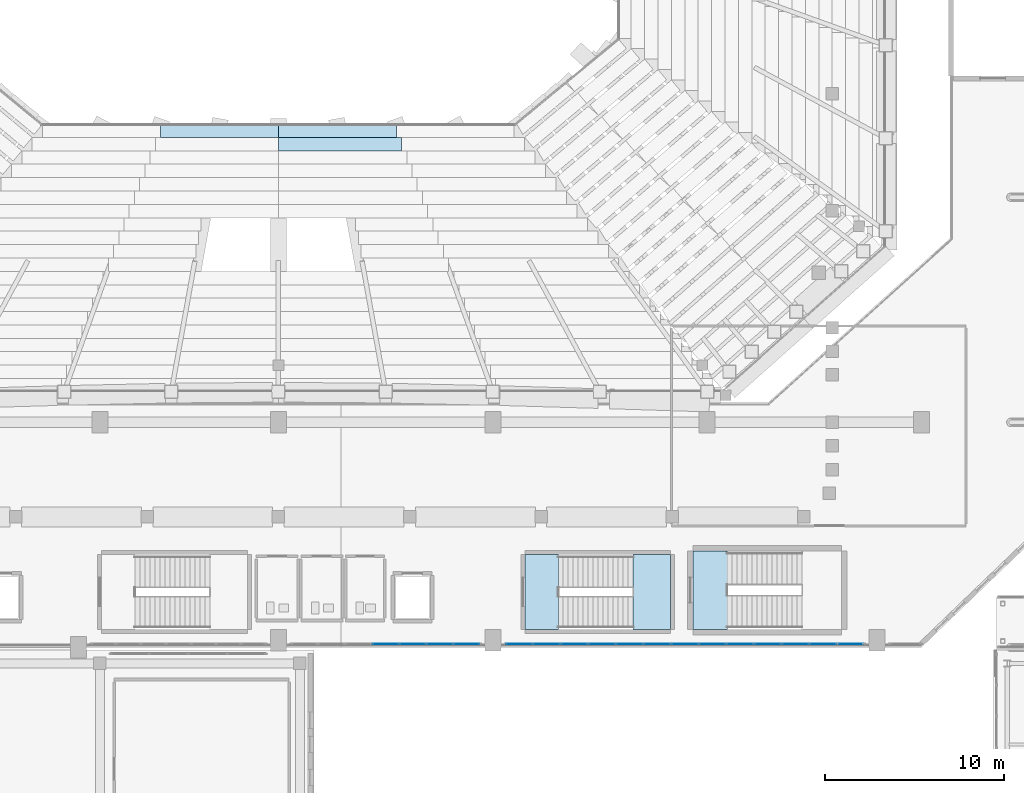
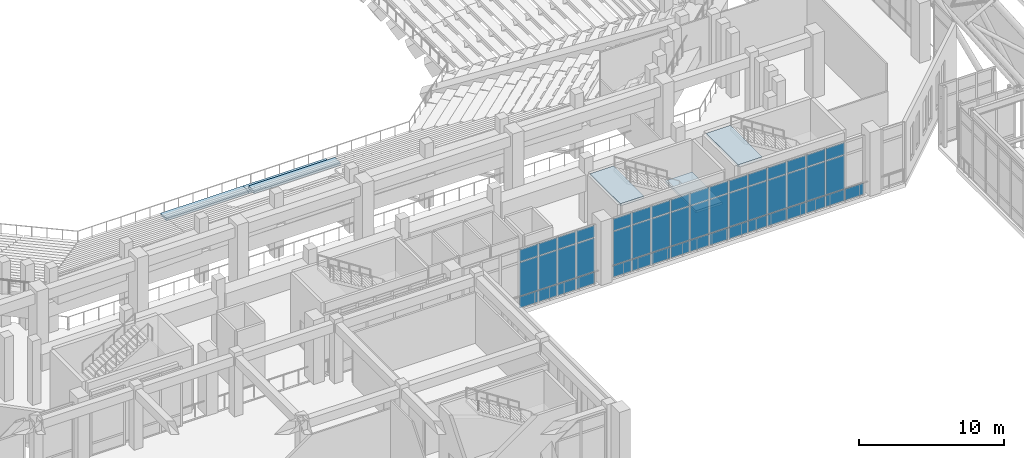
# One storey, part 91 of 159: 49 plates, 6 slabs, 4 elements without a shape of their own.
"""IFC4 building model written with IfcOpenShell, lengths in metres."""

from ifc_helpers import new_model, si_unit, derived_unit, direction, frame, origin, origin_2d, place, context, subcontext, project, spatial, polyline, rectangle, outline, extrude, material, layer, layer_set, type_object, element, aggregate, save


model = new_model("IFC4")

# Units and contexts
model_context = context("Model", 3, precision=1e-05, world=origin(), true_north=direction((0.0, 1.0)))
body_context = subcontext(model_context, "Body", "Model", "MODEL_VIEW")
ifc_project = project(units=[si_unit("LENGTHUNIT", "METRE"), si_unit("AREAUNIT", "SQUARE_METRE"), si_unit("VOLUMEUNIT", "CUBIC_METRE"), si_unit("PLANEANGLEUNIT", "RADIAN"), si_unit("MASSUNIT", "GRAM", prefix="KILO"), derived_unit("THERMALTRANSMITTANCEUNIT", [(si_unit("MASSUNIT", "GRAM", prefix="KILO"), 1), (si_unit("TIMEUNIT", "SECOND"), -3), (si_unit("THERMODYNAMICTEMPERATUREUNIT", "KELVIN"), -1)])], contexts=[model_context])

# Site, building, storey
site_placement = place(None, origin())
site = spatial("IfcSite", under=ifc_project, at=site_placement, CompositionType="ELEMENT")
building_placement = place(site_placement, origin())
building = spatial("IfcBuilding", under=site, at=building_placement, Name="Valcora Ridge Arena", CompositionType="ELEMENT")
storey_placement = place(building_placement, frame((0.0, 0.0, 6.0)))
storey = spatial("IfcBuildingStorey", under=building, at=storey_placement, Name="L01", CompositionType="ELEMENT", Elevation=6.0)

# Stair, slabs
ifc_material_1 = material(Name="Concrete C40/50", Category="concrete")
stair_type_1 = type_object("IfcStairType", Name="TY-STAIR-ES02-54", PredefinedType="HALF_TURN_STAIR", material=ifc_material_1)
stair_1_placement = place(storey_placement, origin())
stair_1 = element("IfcStair", 1, at=stair_1_placement, inside=storey, type_object=stair_type_1, Name="ES02-54 STR-ES-0006", PredefinedType="HALF_TURN_STAIR")
ifc_layer_1 = layer(ifc_material_1, 0.199951171875, Name="Concrete C40/50")
ifc_layer_set_1 = layer_set([ifc_layer_1], Name="Concrete C40/50")
slab_type_1 = type_object("IfcSlabType", Name="TY-LAND-ES02-54", PredefinedType="LANDING", material=ifc_layer_set_1)
slab_1_placement = place(storey_placement, frame((0.0, 0.0, 2.5)))
slab_1 = element("IfcSlab", 2, at=slab_1_placement, type_object=slab_type_1, Name="ES02-54 landing 1", PredefinedType="LANDING", context=body_context, shape_type="SweptSolid", body=[
    extrude(outline(polyline([(77.840087890625, 21.001953125), (79.9580078125, 21.001953125), (79.9580078125, 25.197998046875), (77.840087890625, 25.197998046875), (77.840087890625, 21.001953125)])), origin(), (0.0, 0.0, 1.0), 0.199951171875),
])
slab_2_placement = place(storey_placement, frame((0.0, 0.0, 5.199951171875)))
slab_2 = element("IfcSlab", 3, at=slab_2_placement, type_object=slab_type_1, Name="ES02-54 landing 2", PredefinedType="LANDING", context=body_context, shape_type="SweptSolid", body=[
    extrude(outline(polyline([(71.802001953125, 21.001953125), (73.679931640625, 21.001953125), (73.679931640625, 25.197998046875), (71.802001953125, 25.197998046875), (71.802001953125, 21.001953125)])), origin(), (0.0, 0.0, 1.0), 0.199951171875),
])
aggregate(stair_1, [slab_1, slab_2])

# Stair, slab
stair_type_2 = type_object("IfcStairType", Name="TY-STAIR-ST02-54", PredefinedType="HALF_TURN_STAIR", material=ifc_material_1)
stair_2_placement = place(storey_placement, origin())
stair_2 = element("IfcStair", 4, at=stair_2_placement, inside=storey, type_object=stair_type_2, Name="ST02-54 STR-CR-0009", PredefinedType="HALF_TURN_STAIR")
ifc_layer_2 = layer(ifc_material_1, 0.199951171875, Name="Concrete C40/50")
ifc_layer_set_2 = layer_set([ifc_layer_2], Name="Concrete C40/50")
slab_type_2 = type_object("IfcSlabType", Name="TY-LAND-ST02-54", PredefinedType="LANDING", material=ifc_layer_set_2)
slab_3_placement = place(storey_placement, frame((0.0, 0.0, 5.199951171875)))
slab_3 = element("IfcSlab", 5, at=slab_3_placement, type_object=slab_type_2, Name="ST02-54 landing 2", PredefinedType="LANDING", context=body_context, shape_type="SweptSolid", body=[
    extrude(outline(polyline([(81.201904296875, 21.001953125), (83.1298828125, 21.001953125), (83.1298828125, 25.39794921875), (81.201904296875, 25.39794921875), (81.201904296875, 21.001953125)])), origin(), (0.0, 0.0, 1.0), 0.199951171875),
])
aggregate(stair_2, [slab_3])

# Curtain wall, plates
ifc_material_2 = material(Name="Anodised dark bronze architectural aluminium 6063-T6", Category="aluminium")
ifc_layer_3 = layer(ifc_material_2, 0.179931640625, Name="Anodised dark bronze architectural aluminium 6063-T6")
ifc_layer_set_3 = layer_set([ifc_layer_3], Name="Anodised dark bronze architectural aluminium 6063-T6")
curtain_wall_type_1 = type_object("IfcCurtainWallType", Name="TY-CURTAINWALL-CW-V1-GOTH-106X50", PredefinedType="NOTDEFINED", material=ifc_layer_set_3)
curtain_wall_1_placement = place(storey_placement, origin())
curtain_wall_1 = element("IfcCurtainWall", 6, at=curtain_wall_1_placement, inside=storey, type_object=curtain_wall_type_1, Name="CW-V1-GOTH-106X50 CW-0099", PredefinedType="NOTDEFINED")
ifc_material_3 = material(Name="Low-iron solar-control double glazing SHGC 0.28", Category="glass")
ifc_layer_4 = layer(ifc_material_3, 0.031982421875, Name="Low-iron solar-control double glazing SHGC 0.28")
ifc_layer_set_4 = layer_set([ifc_layer_4], Name="Low-iron solar-control double glazing SHGC 0.28")
plate_type_1 = type_object("IfcPlateType", Name="TY-PLT-CWP-1427X0960", PredefinedType="CURTAIN_PANEL", material=ifc_layer_set_4)
plate_1_placement = place(storey_placement, frame((68.53662109375, 20.199951171875, 0.06005859375), z_axis=(0.0, 0.0, 1.0), x_axis=(1.0, 0.0, 0.0)))
plate_1 = element("IfcPlate", 7, at=plate_1_placement, type_object=plate_type_1, Name="CW-0099/P06-00", PredefinedType="CURTAIN_PANEL", context=body_context, shape_type="SweptSolid", body=[
    extrude(rectangle(XDim=1.427001953125, YDim=0.031982421875, at=origin_2d()), origin(), (0.0, 0.0, 1.0), 0.9599609375),
])
ifc_layer_5 = layer(ifc_material_3, 0.031982421875, Name="Low-iron solar-control double glazing SHGC 0.28")
ifc_layer_set_5 = layer_set([ifc_layer_5], Name="Low-iron solar-control double glazing SHGC 0.28")
plate_type_2 = type_object("IfcPlateType", Name="TY-PLT-CWP-1427X1010", PredefinedType="CURTAIN_PANEL", material=ifc_layer_set_5)
plate_2_placement = place(storey_placement, frame((68.53662109375, 20.199951171875, 3.97021484375), z_axis=(0.0, 0.0, 1.0), x_axis=(1.0, 0.0, 0.0)))
plate_2 = element("IfcPlate", 8, at=plate_2_placement, type_object=plate_type_2, Name="CW-0099/P06-02", PredefinedType="CURTAIN_PANEL", context=body_context, shape_type="SweptSolid", body=[
    extrude(rectangle(XDim=1.427001953125, YDim=0.031982421875, at=origin_2d()), origin(), (0.0, 0.0, 1.0), 1.010009765625),
])
ifc_layer_6 = layer(ifc_material_3, 0.031982421875, Name="Low-iron solar-control double glazing SHGC 0.28")
ifc_layer_set_6 = layer_set([ifc_layer_6], Name="Low-iron solar-control double glazing SHGC 0.28")
plate_type_3 = type_object("IfcPlateType", Name="TY-PLT-CWP-1427X2830", PredefinedType="CURTAIN_PANEL", material=ifc_layer_set_6)
plate_3_placement = place(storey_placement, frame((68.53662109375, 20.199951171875, 1.080078125), z_axis=(0.0, 0.0, 1.0), x_axis=(1.0, 0.0, 0.0)))
plate_3 = element("IfcPlate", 9, at=plate_3_placement, type_object=plate_type_3, Name="CW-0099/P06-01", PredefinedType="CURTAIN_PANEL", context=body_context, shape_type="SweptSolid", body=[
    extrude(rectangle(XDim=1.427001953125, YDim=0.031982421875, at=origin_2d()), origin(), (0.0, 0.0, 1.0), 2.830078125),
])
ifc_layer_7 = layer(ifc_material_3, 0.031982421875, Name="Low-iron solar-control double glazing SHGC 0.28")
ifc_layer_set_7 = layer_set([ifc_layer_7], Name="Low-iron solar-control double glazing SHGC 0.28")
plate_type_4 = type_object("IfcPlateType", Name="TY-PLT-CWP-1457X0960", PredefinedType="CURTAIN_PANEL", material=ifc_layer_set_7)
plate_4_placement = place(storey_placement, frame((65.517578125, 20.199951171875, 0.06005859375), z_axis=(0.0, 0.0, 1.0), x_axis=(1.0, 0.0, 0.0)))
plate_4 = element("IfcPlate", 10, at=plate_4_placement, type_object=plate_type_4, Name="CW-0099/P04-00", PredefinedType="CURTAIN_PANEL", context=body_context, shape_type="SweptSolid", body=[
    extrude(rectangle(XDim=1.45703125, YDim=0.031982421875, at=origin_2d()), origin(), (0.0, 0.0, 1.0), 0.9599609375),
])
plate_5_placement = place(storey_placement, frame((67.034423828125, 20.199951171875, 0.06005859375), z_axis=(0.0, 0.0, 1.0), x_axis=(1.0, 0.0, 0.0)))
plate_5 = element("IfcPlate", 11, at=plate_5_placement, type_object=plate_type_4, Name="CW-0099/P05-00", PredefinedType="CURTAIN_PANEL", context=body_context, shape_type="SweptSolid", body=[
    extrude(rectangle(XDim=1.45703125, YDim=0.031982421875, at=origin_2d()), origin(), (0.0, 0.0, 1.0), 0.9599609375),
])
ifc_layer_8 = layer(ifc_material_3, 0.031982421875, Name="Low-iron solar-control double glazing SHGC 0.28")
ifc_layer_set_8 = layer_set([ifc_layer_8], Name="Low-iron solar-control double glazing SHGC 0.28")
plate_type_5 = type_object("IfcPlateType", Name="TY-PLT-CWP-1457X1010", PredefinedType="CURTAIN_PANEL", material=ifc_layer_set_8)
plate_6_placement = place(storey_placement, frame((65.517578125, 20.199951171875, 3.97021484375), z_axis=(0.0, 0.0, 1.0), x_axis=(1.0, 0.0, 0.0)))
plate_6 = element("IfcPlate", 12, at=plate_6_placement, type_object=plate_type_5, Name="CW-0099/P04-02", PredefinedType="CURTAIN_PANEL", context=body_context, shape_type="SweptSolid", body=[
    extrude(rectangle(XDim=1.45703125, YDim=0.031982421875, at=origin_2d()), origin(), (0.0, 0.0, 1.0), 1.010009765625),
])
plate_7_placement = place(storey_placement, frame((67.034423828125, 20.199951171875, 3.97021484375), z_axis=(0.0, 0.0, 1.0), x_axis=(1.0, 0.0, 0.0)))
plate_7 = element("IfcPlate", 13, at=plate_7_placement, type_object=plate_type_5, Name="CW-0099/P05-02", PredefinedType="CURTAIN_PANEL", context=body_context, shape_type="SweptSolid", body=[
    extrude(rectangle(XDim=1.45703125, YDim=0.031982421875, at=origin_2d()), origin(), (0.0, 0.0, 1.0), 1.010009765625),
])
ifc_layer_9 = layer(ifc_material_3, 0.031982421875, Name="Low-iron solar-control double glazing SHGC 0.28")
ifc_layer_set_9 = layer_set([ifc_layer_9], Name="Low-iron solar-control double glazing SHGC 0.28")
plate_type_6 = type_object("IfcPlateType", Name="TY-PLT-CWP-1457X2830", PredefinedType="CURTAIN_PANEL", material=ifc_layer_set_9)
plate_8_placement = place(storey_placement, frame((65.517578125, 20.199951171875, 1.080078125), z_axis=(0.0, 0.0, 1.0), x_axis=(1.0, 0.0, 0.0)))
plate_8 = element("IfcPlate", 14, at=plate_8_placement, type_object=plate_type_6, Name="CW-0099/P04-01", PredefinedType="CURTAIN_PANEL", context=body_context, shape_type="SweptSolid", body=[
    extrude(rectangle(XDim=1.45703125, YDim=0.031982421875, at=origin_2d()), origin(), (0.0, 0.0, 1.0), 2.830078125),
])
plate_9_placement = place(storey_placement, frame((67.034423828125, 20.199951171875, 1.080078125), z_axis=(0.0, 0.0, 1.0), x_axis=(1.0, 0.0, 0.0)))
plate_9 = element("IfcPlate", 15, at=plate_9_placement, type_object=plate_type_6, Name="CW-0099/P05-01", PredefinedType="CURTAIN_PANEL", context=body_context, shape_type="SweptSolid", body=[
    extrude(rectangle(XDim=1.45703125, YDim=0.031982421875, at=origin_2d()), origin(), (0.0, 0.0, 1.0), 2.830078125),
])
ifc_layer_10 = layer(ifc_material_3, 0.031982421875, Name="Low-iron solar-control double glazing SHGC 0.28")
ifc_layer_set_10 = layer_set([ifc_layer_10], Name="Low-iron solar-control double glazing SHGC 0.28")
plate_type_7 = type_object("IfcPlateType", Name="TY-PLT-CWP-1458X0960", PredefinedType="CURTAIN_PANEL", material=ifc_layer_set_10)
plate_10_placement = place(storey_placement, frame((64.0, 20.199951171875, 0.06005859375), z_axis=(0.0, 0.0, 1.0), x_axis=(1.0, 0.0, 0.0)))
plate_10 = element("IfcPlate", 16, at=plate_10_placement, type_object=plate_type_7, Name="CW-0099/P03-00", PredefinedType="CURTAIN_PANEL", context=body_context, shape_type="SweptSolid", body=[
    extrude(rectangle(XDim=1.4580078125, YDim=0.031982421875, at=origin_2d()), origin(), (0.0, 0.0, 1.0), 0.9599609375),
])

ifc_layer_11 = layer(ifc_material_2, 0.179931640625, Name="Anodised dark bronze architectural aluminium 6063-T6")
ifc_layer_set_11 = layer_set([ifc_layer_11], Name="Anodised dark bronze architectural aluminium 6063-T6")
curtain_wall_type_2 = type_object("IfcCurtainWallType", Name="TY-CURTAINWALL-CW-V1-GOTH-201X50", PredefinedType="NOTDEFINED", material=ifc_layer_set_11)
curtain_wall_2_placement = place(storey_placement, origin())
curtain_wall_2 = element("IfcCurtainWall", 17, at=curtain_wall_2_placement, inside=storey, type_object=curtain_wall_type_2, Name="CW-V1-GOTH-201X50 CW-0100", PredefinedType="NOTDEFINED")
plate_11_placement = place(storey_placement, frame((71.47900390625, 20.199951171875, 0.06005859375), z_axis=(0.0, 0.0, 1.0), x_axis=(1.0, 0.0, 0.0)))
plate_11 = element("IfcPlate", 18, at=plate_11_placement, type_object=plate_type_7, Name="CW-0100/P00-00", PredefinedType="CURTAIN_PANEL", context=body_context, shape_type="SweptSolid", body=[
    extrude(rectangle(XDim=1.4580078125, YDim=0.031982421875, at=origin_2d()), origin(), (0.0, 0.0, 1.0), 0.9599609375),
])
plate_12_placement = place(storey_placement, frame((90.02099609375, 20.199951171875, 0.06005859375), z_axis=(0.0, 0.0, 1.0), x_axis=(1.0, 0.0, 0.0)))
plate_12 = element("IfcPlate", 19, at=plate_12_placement, type_object=plate_type_7, Name="CW-0100/P12-00", PredefinedType="CURTAIN_PANEL", context=body_context, shape_type="SweptSolid", body=[
    extrude(rectangle(XDim=1.4580078125, YDim=0.031982421875, at=origin_2d()), origin(), (0.0, 0.0, 1.0), 0.9599609375),
])

# Plate
ifc_layer_12 = layer(ifc_material_3, 0.031982421875, Name="Low-iron solar-control double glazing SHGC 0.28")
ifc_layer_set_12 = layer_set([ifc_layer_12], Name="Low-iron solar-control double glazing SHGC 0.28")
plate_type_8 = type_object("IfcPlateType", Name="TY-PLT-CWP-1458X1010", PredefinedType="CURTAIN_PANEL", material=ifc_layer_set_12)
plate_13_placement = place(storey_placement, frame((64.0, 20.199951171875, 3.97021484375), z_axis=(0.0, 0.0, 1.0), x_axis=(1.0, 0.0, 0.0)))
plate_13 = element("IfcPlate", 20, at=plate_13_placement, type_object=plate_type_8, Name="CW-0099/P03-02", PredefinedType="CURTAIN_PANEL", context=body_context, shape_type="SweptSolid", body=[
    extrude(rectangle(XDim=1.4580078125, YDim=0.031982421875, at=origin_2d()), origin(), (0.0, 0.0, 1.0), 1.010009765625),
])

plate_14_placement = place(storey_placement, frame((71.47900390625, 20.199951171875, 3.97021484375), z_axis=(0.0, 0.0, 1.0), x_axis=(1.0, 0.0, 0.0)))
plate_14 = element("IfcPlate", 21, at=plate_14_placement, type_object=plate_type_8, Name="CW-0100/P00-02", PredefinedType="CURTAIN_PANEL", context=body_context, shape_type="SweptSolid", body=[
    extrude(rectangle(XDim=1.4580078125, YDim=0.031982421875, at=origin_2d()), origin(), (0.0, 0.0, 1.0), 1.010009765625),
])

ifc_layer_13 = layer(ifc_material_3, 0.031982421875, Name="Low-iron solar-control double glazing SHGC 0.28")
ifc_layer_set_13 = layer_set([ifc_layer_13], Name="Low-iron solar-control double glazing SHGC 0.28")
plate_type_9 = type_object("IfcPlateType", Name="TY-PLT-CWP-1458X2830", PredefinedType="CURTAIN_PANEL", material=ifc_layer_set_13)
plate_15_placement = place(storey_placement, frame((64.0, 20.199951171875, 1.080078125), z_axis=(0.0, 0.0, 1.0), x_axis=(1.0, 0.0, 0.0)))
plate_15 = element("IfcPlate", 22, at=plate_15_placement, type_object=plate_type_9, Name="CW-0099/P03-01", PredefinedType="CURTAIN_PANEL", context=body_context, shape_type="SweptSolid", body=[
    extrude(rectangle(XDim=1.4580078125, YDim=0.031982421875, at=origin_2d()), origin(), (0.0, 0.0, 1.0), 2.830078125),
])

aggregate(curtain_wall_1, [plate_10, plate_15, plate_13, plate_4, plate_8, plate_6, plate_5, plate_9, plate_7, plate_1, plate_3, plate_2])

plate_16_placement = place(storey_placement, frame((71.47900390625, 20.199951171875, 1.080078125), z_axis=(0.0, 0.0, 1.0), x_axis=(1.0, 0.0, 0.0)))
plate_16 = element("IfcPlate", 23, at=plate_16_placement, type_object=plate_type_9, Name="CW-0100/P00-01", PredefinedType="CURTAIN_PANEL", context=body_context, shape_type="SweptSolid", body=[
    extrude(rectangle(XDim=1.4580078125, YDim=0.031982421875, at=origin_2d()), origin(), (0.0, 0.0, 1.0), 2.830078125),
])

ifc_layer_14 = layer(ifc_material_3, 0.031982421875, Name="Low-iron solar-control double glazing SHGC 0.28")
ifc_layer_set_14 = layer_set([ifc_layer_14], Name="Low-iron solar-control double glazing SHGC 0.28")
plate_type_10 = type_object("IfcPlateType", Name="TY-PLT-CWP-1487X0960", PredefinedType="CURTAIN_PANEL", material=ifc_layer_set_14)
plate_17_placement = place(storey_placement, frame((73.011474609375, 20.199951171875, 0.06005859375), z_axis=(0.0, 0.0, 1.0), x_axis=(1.0, 0.0, 0.0)))
plate_17 = element("IfcPlate", 24, at=plate_17_placement, type_object=plate_type_10, Name="CW-0100/P01-00", PredefinedType="CURTAIN_PANEL", context=body_context, shape_type="SweptSolid", body=[
    extrude(rectangle(XDim=1.487060546875, YDim=0.031982421875, at=origin_2d()), origin(), (0.0, 0.0, 1.0), 0.9599609375),
])

plate_18_placement = place(storey_placement, frame((77.654541015625, 20.199951171875, 0.06005859375), z_axis=(0.0, 0.0, 1.0), x_axis=(1.0, 0.0, 0.0)))
plate_18 = element("IfcPlate", 25, at=plate_18_placement, type_object=plate_type_10, Name="CW-0100/P04-00", PredefinedType="CURTAIN_PANEL", context=body_context, shape_type="SweptSolid", body=[
    extrude(rectangle(XDim=1.487060546875, YDim=0.031982421875, at=origin_2d()), origin(), (0.0, 0.0, 1.0), 0.9599609375),
])

plate_19_placement = place(storey_placement, frame((83.845458984375, 20.199951171875, 0.06005859375), z_axis=(0.0, 0.0, 1.0), x_axis=(1.0, 0.0, 0.0)))
plate_19 = element("IfcPlate", 26, at=plate_19_placement, type_object=plate_type_10, Name="CW-0100/P08-00", PredefinedType="CURTAIN_PANEL", context=body_context, shape_type="SweptSolid", body=[
    extrude(rectangle(XDim=1.487060546875, YDim=0.031982421875, at=origin_2d()), origin(), (0.0, 0.0, 1.0), 0.9599609375),
])

plate_20_placement = place(storey_placement, frame((88.488525390625, 20.199951171875, 0.06005859375), z_axis=(0.0, 0.0, 1.0), x_axis=(1.0, 0.0, 0.0)))
plate_20 = element("IfcPlate", 27, at=plate_20_placement, type_object=plate_type_10, Name="CW-0100/P11-00", PredefinedType="CURTAIN_PANEL", context=body_context, shape_type="SweptSolid", body=[
    extrude(rectangle(XDim=1.487060546875, YDim=0.031982421875, at=origin_2d()), origin(), (0.0, 0.0, 1.0), 0.9599609375),
])

ifc_layer_15 = layer(ifc_material_3, 0.031982421875, Name="Low-iron solar-control double glazing SHGC 0.28")
ifc_layer_set_15 = layer_set([ifc_layer_15], Name="Low-iron solar-control double glazing SHGC 0.28")
plate_type_11 = type_object("IfcPlateType", Name="TY-PLT-CWP-1487X1010", PredefinedType="CURTAIN_PANEL", material=ifc_layer_set_15)
plate_21_placement = place(storey_placement, frame((73.011474609375, 20.199951171875, 3.97021484375), z_axis=(0.0, 0.0, 1.0), x_axis=(1.0, 0.0, 0.0)))
plate_21 = element("IfcPlate", 28, at=plate_21_placement, type_object=plate_type_11, Name="CW-0100/P01-02", PredefinedType="CURTAIN_PANEL", context=body_context, shape_type="SweptSolid", body=[
    extrude(rectangle(XDim=1.487060546875, YDim=0.031982421875, at=origin_2d()), origin(), (0.0, 0.0, 1.0), 1.010009765625),
])

plate_22_placement = place(storey_placement, frame((77.654541015625, 20.199951171875, 3.97021484375), z_axis=(0.0, 0.0, 1.0), x_axis=(1.0, 0.0, 0.0)))
plate_22 = element("IfcPlate", 29, at=plate_22_placement, type_object=plate_type_11, Name="CW-0100/P04-02", PredefinedType="CURTAIN_PANEL", context=body_context, shape_type="SweptSolid", body=[
    extrude(rectangle(XDim=1.487060546875, YDim=0.031982421875, at=origin_2d()), origin(), (0.0, 0.0, 1.0), 1.010009765625),
])

plate_23_placement = place(storey_placement, frame((83.845458984375, 20.199951171875, 3.97021484375), z_axis=(0.0, 0.0, 1.0), x_axis=(1.0, 0.0, 0.0)))
plate_23 = element("IfcPlate", 30, at=plate_23_placement, type_object=plate_type_11, Name="CW-0100/P08-02", PredefinedType="CURTAIN_PANEL", context=body_context, shape_type="SweptSolid", body=[
    extrude(rectangle(XDim=1.487060546875, YDim=0.031982421875, at=origin_2d()), origin(), (0.0, 0.0, 1.0), 1.010009765625),
])

plate_24_placement = place(storey_placement, frame((88.488525390625, 20.199951171875, 3.97021484375), z_axis=(0.0, 0.0, 1.0), x_axis=(1.0, 0.0, 0.0)))
plate_24 = element("IfcPlate", 31, at=plate_24_placement, type_object=plate_type_11, Name="CW-0100/P11-02", PredefinedType="CURTAIN_PANEL", context=body_context, shape_type="SweptSolid", body=[
    extrude(rectangle(XDim=1.487060546875, YDim=0.031982421875, at=origin_2d()), origin(), (0.0, 0.0, 1.0), 1.010009765625),
])

ifc_layer_16 = layer(ifc_material_3, 0.031982421875, Name="Low-iron solar-control double glazing SHGC 0.28")
ifc_layer_set_16 = layer_set([ifc_layer_16], Name="Low-iron solar-control double glazing SHGC 0.28")
plate_type_12 = type_object("IfcPlateType", Name="TY-PLT-CWP-1487X2830", PredefinedType="CURTAIN_PANEL", material=ifc_layer_set_16)
plate_25_placement = place(storey_placement, frame((73.011474609375, 20.199951171875, 1.080078125), z_axis=(0.0, 0.0, 1.0), x_axis=(1.0, 0.0, 0.0)))
plate_25 = element("IfcPlate", 32, at=plate_25_placement, type_object=plate_type_12, Name="CW-0100/P01-01", PredefinedType="CURTAIN_PANEL", context=body_context, shape_type="SweptSolid", body=[
    extrude(rectangle(XDim=1.487060546875, YDim=0.031982421875, at=origin_2d()), origin(), (0.0, 0.0, 1.0), 2.830078125),
])

plate_26_placement = place(storey_placement, frame((77.654541015625, 20.199951171875, 1.080078125), z_axis=(0.0, 0.0, 1.0), x_axis=(1.0, 0.0, 0.0)))
plate_26 = element("IfcPlate", 33, at=plate_26_placement, type_object=plate_type_12, Name="CW-0100/P04-01", PredefinedType="CURTAIN_PANEL", context=body_context, shape_type="SweptSolid", body=[
    extrude(rectangle(XDim=1.487060546875, YDim=0.031982421875, at=origin_2d()), origin(), (0.0, 0.0, 1.0), 2.830078125),
])

plate_27_placement = place(storey_placement, frame((83.845458984375, 20.199951171875, 1.080078125), z_axis=(0.0, 0.0, 1.0), x_axis=(1.0, 0.0, 0.0)))
plate_27 = element("IfcPlate", 34, at=plate_27_placement, type_object=plate_type_12, Name="CW-0100/P08-01", PredefinedType="CURTAIN_PANEL", context=body_context, shape_type="SweptSolid", body=[
    extrude(rectangle(XDim=1.487060546875, YDim=0.031982421875, at=origin_2d()), origin(), (0.0, 0.0, 1.0), 2.830078125),
])

plate_28_placement = place(storey_placement, frame((88.488525390625, 20.199951171875, 1.080078125), z_axis=(0.0, 0.0, 1.0), x_axis=(1.0, 0.0, 0.0)))
plate_28 = element("IfcPlate", 35, at=plate_28_placement, type_object=plate_type_12, Name="CW-0100/P11-01", PredefinedType="CURTAIN_PANEL", context=body_context, shape_type="SweptSolid", body=[
    extrude(rectangle(XDim=1.487060546875, YDim=0.031982421875, at=origin_2d()), origin(), (0.0, 0.0, 1.0), 2.830078125),
])

ifc_layer_17 = layer(ifc_material_3, 0.031982421875, Name="Low-iron solar-control double glazing SHGC 0.28")
ifc_layer_set_17 = layer_set([ifc_layer_17], Name="Low-iron solar-control double glazing SHGC 0.28")
plate_type_13 = type_object("IfcPlateType", Name="TY-PLT-CWP-1488X0960", PredefinedType="CURTAIN_PANEL", material=ifc_layer_set_17)
plate_29_placement = place(storey_placement, frame((74.55908203125, 20.199951171875, 0.06005859375), z_axis=(0.0, 0.0, 1.0), x_axis=(1.0, 0.0, 0.0)))
plate_29 = element("IfcPlate", 36, at=plate_29_placement, type_object=plate_type_13, Name="CW-0100/P02-00", PredefinedType="CURTAIN_PANEL", context=body_context, shape_type="SweptSolid", body=[
    extrude(rectangle(XDim=1.488037109375, YDim=0.031982421875, at=origin_2d()), origin(), (0.0, 0.0, 1.0), 0.9599609375),
])

plate_30_placement = place(storey_placement, frame((76.10693359375, 20.199951171875, 0.06005859375), z_axis=(0.0, 0.0, 1.0), x_axis=(1.0, 0.0, 0.0)))
plate_30 = element("IfcPlate", 37, at=plate_30_placement, type_object=plate_type_13, Name="CW-0100/P03-00", PredefinedType="CURTAIN_PANEL", context=body_context, shape_type="SweptSolid", body=[
    extrude(rectangle(XDim=1.488037109375, YDim=0.031982421875, at=origin_2d()), origin(), (0.0, 0.0, 1.0), 0.9599609375),
])

plate_31_placement = place(storey_placement, frame((79.201904296875, 20.199951171875, 0.06005859375), z_axis=(0.0, 0.0, 1.0), x_axis=(1.0, 0.0, 0.0)))
plate_31 = element("IfcPlate", 38, at=plate_31_placement, type_object=plate_type_13, Name="CW-0100/P05-00", PredefinedType="CURTAIN_PANEL", context=body_context, shape_type="SweptSolid", body=[
    extrude(rectangle(XDim=1.488037109375, YDim=0.031982421875, at=origin_2d()), origin(), (0.0, 0.0, 1.0), 0.9599609375),
])

plate_32_placement = place(storey_placement, frame((80.75, 20.199951171875, 0.06005859375), z_axis=(0.0, 0.0, 1.0), x_axis=(1.0, 0.0, 0.0)))
plate_32 = element("IfcPlate", 39, at=plate_32_placement, type_object=plate_type_13, Name="CW-0100/P06-00", PredefinedType="CURTAIN_PANEL", context=body_context, shape_type="SweptSolid", body=[
    extrude(rectangle(XDim=1.488037109375, YDim=0.031982421875, at=origin_2d()), origin(), (0.0, 0.0, 1.0), 0.9599609375),
])

plate_33_placement = place(storey_placement, frame((82.298095703125, 20.199951171875, 0.06005859375), z_axis=(0.0, 0.0, 1.0), x_axis=(1.0, 0.0, 0.0)))
plate_33 = element("IfcPlate", 40, at=plate_33_placement, type_object=plate_type_13, Name="CW-0100/P07-00", PredefinedType="CURTAIN_PANEL", context=body_context, shape_type="SweptSolid", body=[
    extrude(rectangle(XDim=1.488037109375, YDim=0.031982421875, at=origin_2d()), origin(), (0.0, 0.0, 1.0), 0.9599609375),
])

plate_34_placement = place(storey_placement, frame((85.39306640625, 20.199951171875, 0.06005859375), z_axis=(0.0, 0.0, 1.0), x_axis=(1.0, 0.0, 0.0)))
plate_34 = element("IfcPlate", 41, at=plate_34_placement, type_object=plate_type_13, Name="CW-0100/P09-00", PredefinedType="CURTAIN_PANEL", context=body_context, shape_type="SweptSolid", body=[
    extrude(rectangle(XDim=1.488037109375, YDim=0.031982421875, at=origin_2d()), origin(), (0.0, 0.0, 1.0), 0.9599609375),
])

plate_35_placement = place(storey_placement, frame((86.94091796875, 20.199951171875, 0.06005859375), z_axis=(0.0, 0.0, 1.0), x_axis=(1.0, 0.0, 0.0)))
plate_35 = element("IfcPlate", 42, at=plate_35_placement, type_object=plate_type_13, Name="CW-0100/P10-00", PredefinedType="CURTAIN_PANEL", context=body_context, shape_type="SweptSolid", body=[
    extrude(rectangle(XDim=1.488037109375, YDim=0.031982421875, at=origin_2d()), origin(), (0.0, 0.0, 1.0), 0.9599609375),
])

ifc_layer_18 = layer(ifc_material_3, 0.031982421875, Name="Low-iron solar-control double glazing SHGC 0.28")
ifc_layer_set_18 = layer_set([ifc_layer_18], Name="Low-iron solar-control double glazing SHGC 0.28")
plate_type_14 = type_object("IfcPlateType", Name="TY-PLT-CWP-1488X1010", PredefinedType="CURTAIN_PANEL", material=ifc_layer_set_18)
plate_36_placement = place(storey_placement, frame((74.55908203125, 20.199951171875, 3.97021484375), z_axis=(0.0, 0.0, 1.0), x_axis=(1.0, 0.0, 0.0)))
plate_36 = element("IfcPlate", 43, at=plate_36_placement, type_object=plate_type_14, Name="CW-0100/P02-02", PredefinedType="CURTAIN_PANEL", context=body_context, shape_type="SweptSolid", body=[
    extrude(rectangle(XDim=1.488037109375, YDim=0.031982421875, at=origin_2d()), origin(), (0.0, 0.0, 1.0), 1.010009765625),
])

plate_37_placement = place(storey_placement, frame((76.10693359375, 20.199951171875, 3.97021484375), z_axis=(0.0, 0.0, 1.0), x_axis=(1.0, 0.0, 0.0)))
plate_37 = element("IfcPlate", 44, at=plate_37_placement, type_object=plate_type_14, Name="CW-0100/P03-02", PredefinedType="CURTAIN_PANEL", context=body_context, shape_type="SweptSolid", body=[
    extrude(rectangle(XDim=1.488037109375, YDim=0.031982421875, at=origin_2d()), origin(), (0.0, 0.0, 1.0), 1.010009765625),
])

plate_38_placement = place(storey_placement, frame((79.201904296875, 20.199951171875, 3.97021484375), z_axis=(0.0, 0.0, 1.0), x_axis=(1.0, 0.0, 0.0)))
plate_38 = element("IfcPlate", 45, at=plate_38_placement, type_object=plate_type_14, Name="CW-0100/P05-02", PredefinedType="CURTAIN_PANEL", context=body_context, shape_type="SweptSolid", body=[
    extrude(rectangle(XDim=1.488037109375, YDim=0.031982421875, at=origin_2d()), origin(), (0.0, 0.0, 1.0), 1.010009765625),
])

plate_39_placement = place(storey_placement, frame((80.75, 20.199951171875, 3.97021484375), z_axis=(0.0, 0.0, 1.0), x_axis=(1.0, 0.0, 0.0)))
plate_39 = element("IfcPlate", 46, at=plate_39_placement, type_object=plate_type_14, Name="CW-0100/P06-02", PredefinedType="CURTAIN_PANEL", context=body_context, shape_type="SweptSolid", body=[
    extrude(rectangle(XDim=1.488037109375, YDim=0.031982421875, at=origin_2d()), origin(), (0.0, 0.0, 1.0), 1.010009765625),
])

plate_40_placement = place(storey_placement, frame((82.298095703125, 20.199951171875, 3.97021484375), z_axis=(0.0, 0.0, 1.0), x_axis=(1.0, 0.0, 0.0)))
plate_40 = element("IfcPlate", 47, at=plate_40_placement, type_object=plate_type_14, Name="CW-0100/P07-02", PredefinedType="CURTAIN_PANEL", context=body_context, shape_type="SweptSolid", body=[
    extrude(rectangle(XDim=1.488037109375, YDim=0.031982421875, at=origin_2d()), origin(), (0.0, 0.0, 1.0), 1.010009765625),
])

plate_41_placement = place(storey_placement, frame((85.39306640625, 20.199951171875, 3.97021484375), z_axis=(0.0, 0.0, 1.0), x_axis=(1.0, 0.0, 0.0)))
plate_41 = element("IfcPlate", 48, at=plate_41_placement, type_object=plate_type_14, Name="CW-0100/P09-02", PredefinedType="CURTAIN_PANEL", context=body_context, shape_type="SweptSolid", body=[
    extrude(rectangle(XDim=1.488037109375, YDim=0.031982421875, at=origin_2d()), origin(), (0.0, 0.0, 1.0), 1.010009765625),
])

plate_42_placement = place(storey_placement, frame((86.94091796875, 20.199951171875, 3.97021484375), z_axis=(0.0, 0.0, 1.0), x_axis=(1.0, 0.0, 0.0)))
plate_42 = element("IfcPlate", 49, at=plate_42_placement, type_object=plate_type_14, Name="CW-0100/P10-02", PredefinedType="CURTAIN_PANEL", context=body_context, shape_type="SweptSolid", body=[
    extrude(rectangle(XDim=1.488037109375, YDim=0.031982421875, at=origin_2d()), origin(), (0.0, 0.0, 1.0), 1.010009765625),
])

ifc_layer_19 = layer(ifc_material_3, 0.031982421875, Name="Low-iron solar-control double glazing SHGC 0.28")
ifc_layer_set_19 = layer_set([ifc_layer_19], Name="Low-iron solar-control double glazing SHGC 0.28")
plate_type_15 = type_object("IfcPlateType", Name="TY-PLT-CWP-1488X2830", PredefinedType="CURTAIN_PANEL", material=ifc_layer_set_19)
plate_43_placement = place(storey_placement, frame((74.55908203125, 20.199951171875, 1.080078125), z_axis=(0.0, 0.0, 1.0), x_axis=(1.0, 0.0, 0.0)))
plate_43 = element("IfcPlate", 50, at=plate_43_placement, type_object=plate_type_15, Name="CW-0100/P02-01", PredefinedType="CURTAIN_PANEL", context=body_context, shape_type="SweptSolid", body=[
    extrude(rectangle(XDim=1.488037109375, YDim=0.031982421875, at=origin_2d()), origin(), (0.0, 0.0, 1.0), 2.830078125),
])

plate_44_placement = place(storey_placement, frame((76.10693359375, 20.199951171875, 1.080078125), z_axis=(0.0, 0.0, 1.0), x_axis=(1.0, 0.0, 0.0)))
plate_44 = element("IfcPlate", 51, at=plate_44_placement, type_object=plate_type_15, Name="CW-0100/P03-01", PredefinedType="CURTAIN_PANEL", context=body_context, shape_type="SweptSolid", body=[
    extrude(rectangle(XDim=1.488037109375, YDim=0.031982421875, at=origin_2d()), origin(), (0.0, 0.0, 1.0), 2.830078125),
])

plate_45_placement = place(storey_placement, frame((79.201904296875, 20.199951171875, 1.080078125), z_axis=(0.0, 0.0, 1.0), x_axis=(1.0, 0.0, 0.0)))
plate_45 = element("IfcPlate", 52, at=plate_45_placement, type_object=plate_type_15, Name="CW-0100/P05-01", PredefinedType="CURTAIN_PANEL", context=body_context, shape_type="SweptSolid", body=[
    extrude(rectangle(XDim=1.488037109375, YDim=0.031982421875, at=origin_2d()), origin(), (0.0, 0.0, 1.0), 2.830078125),
])

plate_46_placement = place(storey_placement, frame((80.75, 20.199951171875, 1.080078125), z_axis=(0.0, 0.0, 1.0), x_axis=(1.0, 0.0, 0.0)))
plate_46 = element("IfcPlate", 53, at=plate_46_placement, type_object=plate_type_15, Name="CW-0100/P06-01", PredefinedType="CURTAIN_PANEL", context=body_context, shape_type="SweptSolid", body=[
    extrude(rectangle(XDim=1.488037109375, YDim=0.031982421875, at=origin_2d()), origin(), (0.0, 0.0, 1.0), 2.830078125),
])

plate_47_placement = place(storey_placement, frame((82.298095703125, 20.199951171875, 1.080078125), z_axis=(0.0, 0.0, 1.0), x_axis=(1.0, 0.0, 0.0)))
plate_47 = element("IfcPlate", 54, at=plate_47_placement, type_object=plate_type_15, Name="CW-0100/P07-01", PredefinedType="CURTAIN_PANEL", context=body_context, shape_type="SweptSolid", body=[
    extrude(rectangle(XDim=1.488037109375, YDim=0.031982421875, at=origin_2d()), origin(), (0.0, 0.0, 1.0), 2.830078125),
])

plate_48_placement = place(storey_placement, frame((85.39306640625, 20.199951171875, 1.080078125), z_axis=(0.0, 0.0, 1.0), x_axis=(1.0, 0.0, 0.0)))
plate_48 = element("IfcPlate", 55, at=plate_48_placement, type_object=plate_type_15, Name="CW-0100/P09-01", PredefinedType="CURTAIN_PANEL", context=body_context, shape_type="SweptSolid", body=[
    extrude(rectangle(XDim=1.488037109375, YDim=0.031982421875, at=origin_2d()), origin(), (0.0, 0.0, 1.0), 2.830078125),
])

plate_49_placement = place(storey_placement, frame((86.94091796875, 20.199951171875, 1.080078125), z_axis=(0.0, 0.0, 1.0), x_axis=(1.0, 0.0, 0.0)))
plate_49 = element("IfcPlate", 56, at=plate_49_placement, type_object=plate_type_15, Name="CW-0100/P10-01", PredefinedType="CURTAIN_PANEL", context=body_context, shape_type="SweptSolid", body=[
    extrude(rectangle(XDim=1.488037109375, YDim=0.031982421875, at=origin_2d()), origin(), (0.0, 0.0, 1.0), 2.830078125),
])

aggregate(curtain_wall_2, [plate_11, plate_16, plate_14, plate_17, plate_25, plate_21, plate_29, plate_43, plate_36, plate_30, plate_44, plate_37, plate_18, plate_26, plate_22, plate_31, plate_45, plate_38, plate_32, plate_46, plate_39, plate_33, plate_47, plate_40, plate_19, plate_27, plate_23, plate_34, plate_48, plate_41, plate_35, plate_49, plate_42, plate_20, plate_28, plate_24, plate_12])

# Slabs
ifc_material_4 = material(Name="Precast concrete C45/55", Category="concrete")
ifc_layer_20 = layer(ifc_material_4, 0.199951171875, Name="Precast concrete C45/55")
ifc_layer_set_20 = layer_set([ifc_layer_20], Name="Precast concrete C45/55")
slab_type_3 = type_object("IfcSlabType", Name="TY-SLAB-ST-LOW-L066", PredefinedType="USERDEFINED", material=ifc_layer_set_20)
slab_4_placement = place(storey_placement, frame((0.0, 0.0, -5.60009765625)))
element("IfcSlab", 57, at=slab_4_placement, inside=storey, type_object=slab_type_3, Name="ST-LOW-L066 SLB-TR-0002", ObjectType="SEATING TIER", PredefinedType="USERDEFINED", context=body_context, shape_type="SweptSolid", body=[
    extrude(outline(polyline([(51.39990234375, 49.300048828125), (58.0, 49.300048828125), (58.0, 48.550048828125), (51.39990234375, 48.550048828125), (51.39990234375, 49.300048828125)])), origin(), (0.0, 0.0, 1.0), 0.2001953125),
])
slab_5_placement = place(storey_placement, frame((0.0, 0.0, -5.60009765625)))
element("IfcSlab", 58, at=slab_5_placement, inside=storey, type_object=slab_type_3, Name="ST-LOW-L066 SLB-TR-0003", ObjectType="SEATING TIER", PredefinedType="USERDEFINED", context=body_context, shape_type="SweptSolid", body=[
    extrude(outline(polyline([(58.0, 49.300048828125), (64.60009765625, 49.300048828125), (64.60009765625, 48.550048828125), (58.0, 48.550048828125), (58.0, 49.300048828125)])), origin(), (0.0, 0.0, 1.0), 0.2001953125),
])
ifc_layer_21 = layer(ifc_material_4, 0.199951171875, Name="Precast concrete C45/55")
ifc_layer_set_21 = layer_set([ifc_layer_21], Name="Precast concrete C45/55")
slab_type_4 = type_object("IfcSlabType", Name="TY-SLAB-ST-LOW-L069", PredefinedType="USERDEFINED", material=ifc_layer_set_21)
slab_6_placement = place(storey_placement, frame((0.0, 0.0, -5.159912109375)))
element("IfcSlab", 59, at=slab_6_placement, inside=storey, type_object=slab_type_4, Name="ST-LOW-L069 SLB-TR-0027", ObjectType="SEATING TIER", PredefinedType="USERDEFINED", context=body_context, shape_type="SweptSolid", body=[
    extrude(outline(polyline([(58.0, 48.550048828125), (64.892578125, 48.550048828125), (64.892578125, 47.800048828125), (58.0, 47.800048828125), (58.0, 48.550048828125)])), origin(), (0.0, 0.0, 1.0), 0.199951171875),
])

save(model, "model.ifc")
